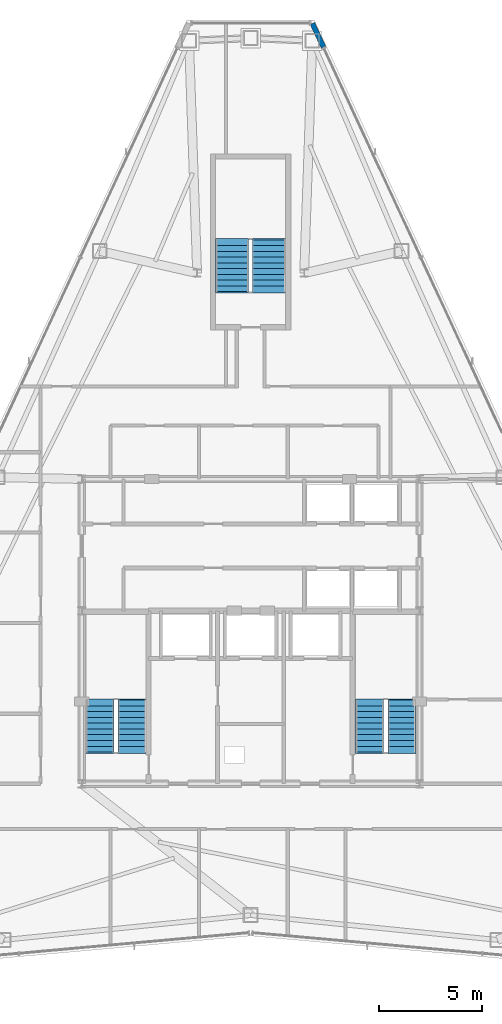
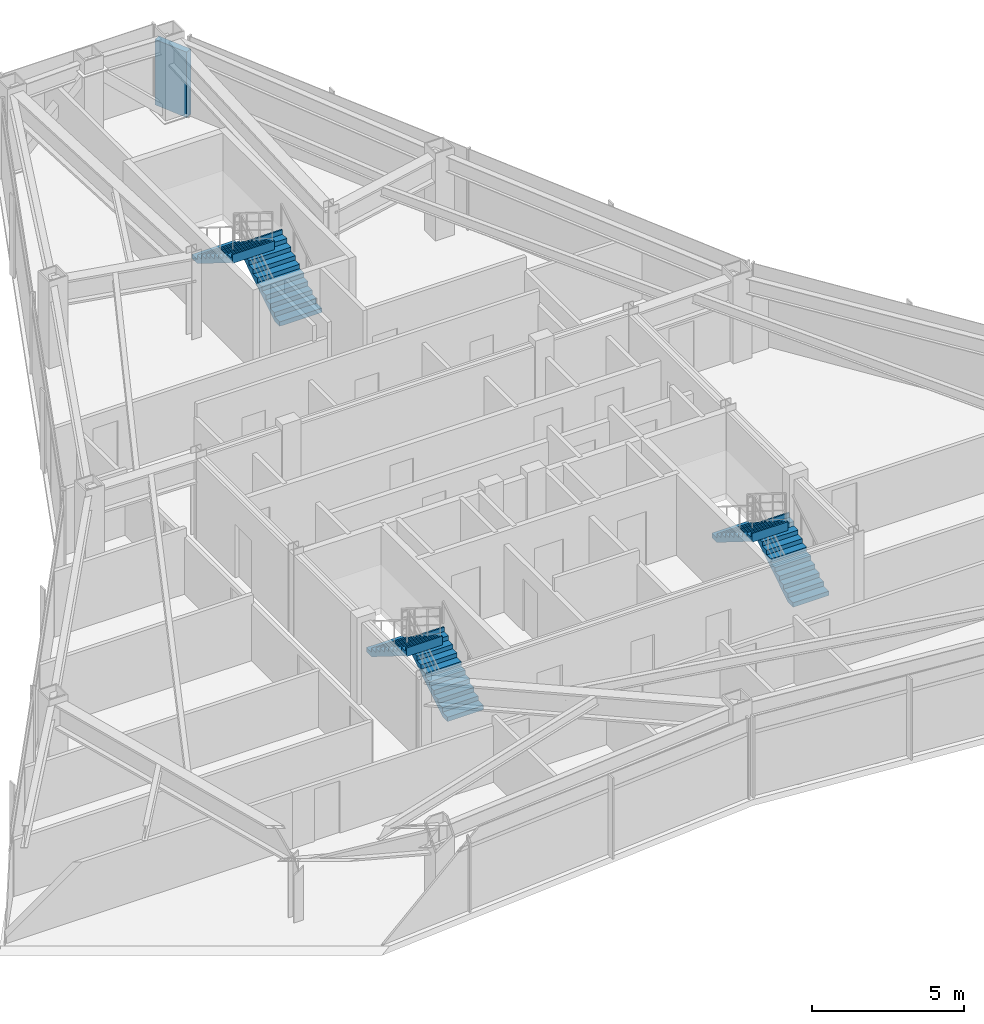
# One storey, part 11 of 12: 6 stair flights, 1 wall, 3 elements without a shape of their own.
"""IFC4 building model written with IfcOpenShell, lengths in metres."""

from ifc_helpers import new_model, si_unit, direction, frame, frame_2d, origin, place, context, subcontext, project, spatial, polyline, rectangle, outline, extrude, material, layer, layer_set, type_object, element, aggregate, save


model = new_model("IFC4")

# Units and contexts
model_context = context("Model", 3, precision=1e-05, world=origin(), true_north=direction((0.0, 1.0)))
body_context = subcontext(model_context, "Body", "Model", "MODEL_VIEW")
ifc_project = project(units=[si_unit("LENGTHUNIT", "METRE"), si_unit("AREAUNIT", "SQUARE_METRE"), si_unit("VOLUMEUNIT", "CUBIC_METRE"), si_unit("PLANEANGLEUNIT", "RADIAN"), si_unit("MASSUNIT", "GRAM", prefix="KILO")], contexts=[model_context])

# Site, building, storey
site_placement = place(None, origin())
site = spatial("IfcSite", under=ifc_project, at=site_placement, CompositionType="ELEMENT")
building_placement = place(site_placement, origin())
building = spatial("IfcBuilding", under=site, at=building_placement, Name="Varakhsha Concourse Tower", CompositionType="ELEMENT")
storey_placement = place(building_placement, frame((0.0, 0.0, 239.89990234375)))
storey = spatial("IfcBuildingStorey", under=building, at=storey_placement, Name="L68", CompositionType="ELEMENT", Elevation=239.89990234375)

# Wall
ifc_material = material(Name="Concrete fc 45 MPa", Category="concrete")
ifc_layer = layer(ifc_material, 0.239990234375, Name="WL-EXT-CRN-240")
ifc_layer_set = layer_set([ifc_layer], Name="Concrete fc 45 MPa")
wall_type = type_object("IfcWallType", Name="WL-EXT-CRN-240", PredefinedType="SHEAR", material=ifc_layer_set)
wall_placement = place(storey_placement, frame((43.538330078125, 52.171142578125, 0.0), z_axis=(0.0, 0.0, 1.0), x_axis=(-0.420510858271, 0.907287505742, 0.0)))
element("IfcWall", 1, at=wall_placement, inside=storey, type_object=wall_type, Name="L68 Wind-Corner Shoulder Wall F9", PredefinedType="SHEAR", context=body_context, shape_type="SweptSolid", body=[
    extrude(rectangle(XDim=1.2783203125, YDim=0.239990234375, at=frame_2d((0.63916015625, 0.0))), origin(), (0.0, 0.0, 1.0), 2.623046875),
])

# Stair, stair flights
stair_type_1 = type_object("IfcStairType", Name="ST-DOGLEG-1360", PredefinedType="HALF_TURN_STAIR", material=ifc_material)
stair_1_placement = place(storey_placement, origin())
stair_1 = element("IfcStair", 2, at=stair_1_placement, inside=storey, type_object=stair_type_1, Name="L68 Protected Exit Stair ST1", PredefinedType="HALF_TURN_STAIR")
stair_flight_type_1 = type_object("IfcStairFlightType", Name="STF-1360-R1750", PredefinedType="STRAIGHT", material=ifc_material)
stair_flight_1_placement = place(storey_placement, frame((34.239990234375, 17.93994140625, 0.0), z_axis=(0.0, 0.0, 1.0), x_axis=(0.0, 1.0, 0.0)))
stair_flight_1 = element("IfcStairFlight", 3, at=stair_flight_1_placement, type_object=stair_flight_type_1, Name="ST1 flight 1", NumberOfRisers=10, NumberOfTreads=9, PredefinedType="STRAIGHT", RiserHeight=0.175, TreadLength=0.28, context=body_context, shape_type="SweptSolid", body=[
    extrude(outline(polyline([(-0.06005859375, 0.0), (-0.06005859375, 0.175048828125), (0.0, 0.175048828125), (0.280029296875, 0.175048828125), (0.280029296875, 0.35009765625), (0.56005859375, 0.35009765625), (0.56005859375, 0.52490234375), (0.840087890625, 0.52490234375), (0.840087890625, 0.699951171875), (1.1201171875, 0.699951171875), (1.1201171875, 0.875), (1.39990234375, 0.875), (1.39990234375, 1.050048828125), (1.679931640625, 1.050048828125), (1.679931640625, 1.22509765625), (1.9599609375, 1.22509765625), (1.9599609375, 1.39990234375), (2.239990234375, 1.39990234375), (2.239990234375, 1.574951171875), (2.52001953125, 1.574951171875), (2.52001953125, 1.75), (2.580078125, 1.75), (2.580078125, 1.398193359375), (2.52001953125, 1.398193359375), (0.28271484375, 0.0), (-0.06005859375, 0.0)])), frame((0.0, 0.68017578125, 0.0), z_axis=(0.0, -1.0, 0.0), x_axis=(1.0, 0.0, 0.0)), (0.0, 0.0, 1.0), 1.360107421875),
])
stair_flight_2_placement = place(storey_placement, frame((32.679931640625, 20.4599609375, 1.75), z_axis=(0.0, 0.0, 1.0), x_axis=(0.0, -1.0, 0.0)))
stair_flight_2 = element("IfcStairFlight", 4, at=stair_flight_2_placement, type_object=stair_flight_type_1, Name="ST1 flight 2", NumberOfRisers=10, NumberOfTreads=9, PredefinedType="STRAIGHT", RiserHeight=0.175, TreadLength=0.28, context=body_context, shape_type="SweptSolid", body=[
    extrude(outline(polyline([(-0.06005859375, 0.0), (-0.06005859375, 0.175048828125), (0.0, 0.175048828125), (0.280029296875, 0.175048828125), (0.280029296875, 0.35009765625), (0.56005859375, 0.35009765625), (0.56005859375, 0.52490234375), (0.840087890625, 0.52490234375), (0.840087890625, 0.699951171875), (1.1201171875, 0.699951171875), (1.1201171875, 0.875), (1.39990234375, 0.875), (1.39990234375, 1.050048828125), (1.679931640625, 1.050048828125), (1.679931640625, 1.22509765625), (1.9599609375, 1.22509765625), (1.9599609375, 1.39990234375), (2.239990234375, 1.39990234375), (2.239990234375, 1.574951171875), (2.52001953125, 1.574951171875), (2.52001953125, 1.75), (2.580078125, 1.75), (2.580078125, 1.398193359375), (2.52001953125, 1.398193359375), (0.28271484375, 0.0), (-0.06005859375, 0.0)])), frame((0.0, 0.68017578125, 0.0), z_axis=(0.0, -1.0, 0.0), x_axis=(1.0, 0.0, 0.0)), (0.0, 0.0, 1.0), 1.360107421875),
])
aggregate(stair_1, [stair_flight_1, stair_flight_2])

stair_2_placement = place(storey_placement, origin())
stair_2 = element("IfcStair", 5, at=stair_2_placement, inside=storey, type_object=stair_type_1, Name="L68 Protected Exit Stair ST2", PredefinedType="HALF_TURN_STAIR")
stair_flight_3_placement = place(storey_placement, frame((47.340087890625, 17.93994140625, 0.0), z_axis=(0.0, 0.0, 1.0), x_axis=(0.0, 1.0, 0.0)))
stair_flight_3 = element("IfcStairFlight", 6, at=stair_flight_3_placement, type_object=stair_flight_type_1, Name="ST2 flight 1", NumberOfRisers=10, NumberOfTreads=9, PredefinedType="STRAIGHT", RiserHeight=0.175, TreadLength=0.28, context=body_context, shape_type="SweptSolid", body=[
    extrude(outline(polyline([(-0.06005859375, 0.0), (-0.06005859375, 0.175048828125), (0.0, 0.175048828125), (0.280029296875, 0.175048828125), (0.280029296875, 0.35009765625), (0.56005859375, 0.35009765625), (0.56005859375, 0.52490234375), (0.840087890625, 0.52490234375), (0.840087890625, 0.699951171875), (1.1201171875, 0.699951171875), (1.1201171875, 0.875), (1.39990234375, 0.875), (1.39990234375, 1.050048828125), (1.679931640625, 1.050048828125), (1.679931640625, 1.22509765625), (1.9599609375, 1.22509765625), (1.9599609375, 1.39990234375), (2.239990234375, 1.39990234375), (2.239990234375, 1.574951171875), (2.52001953125, 1.574951171875), (2.52001953125, 1.75), (2.580078125, 1.75), (2.580078125, 1.398193359375), (2.52001953125, 1.398193359375), (0.28271484375, 0.0), (-0.06005859375, 0.0)])), frame((0.0, 0.68017578125, 0.0), z_axis=(0.0, -1.0, 0.0), x_axis=(1.0, 0.0, 0.0)), (0.0, 0.0, 1.0), 1.360107421875),
])
stair_flight_4_placement = place(storey_placement, frame((45.780029296875, 20.4599609375, 1.75), z_axis=(0.0, 0.0, 1.0), x_axis=(0.0, -1.0, 0.0)))
stair_flight_4 = element("IfcStairFlight", 7, at=stair_flight_4_placement, type_object=stair_flight_type_1, Name="ST2 flight 2", NumberOfRisers=10, NumberOfTreads=9, PredefinedType="STRAIGHT", RiserHeight=0.175, TreadLength=0.28, context=body_context, shape_type="SweptSolid", body=[
    extrude(outline(polyline([(-0.06005859375, 0.0), (-0.06005859375, 0.175048828125), (0.0, 0.175048828125), (0.280029296875, 0.175048828125), (0.280029296875, 0.35009765625), (0.56005859375, 0.35009765625), (0.56005859375, 0.52490234375), (0.840087890625, 0.52490234375), (0.840087890625, 0.699951171875), (1.1201171875, 0.699951171875), (1.1201171875, 0.875), (1.39990234375, 0.875), (1.39990234375, 1.050048828125), (1.679931640625, 1.050048828125), (1.679931640625, 1.22509765625), (1.9599609375, 1.22509765625), (1.9599609375, 1.39990234375), (2.239990234375, 1.39990234375), (2.239990234375, 1.574951171875), (2.52001953125, 1.574951171875), (2.52001953125, 1.75), (2.580078125, 1.75), (2.580078125, 1.398193359375), (2.52001953125, 1.398193359375), (0.28271484375, 0.0), (-0.06005859375, 0.0)])), frame((0.0, 0.68017578125, 0.0), z_axis=(0.0, -1.0, 0.0), x_axis=(1.0, 0.0, 0.0)), (0.0, 0.0, 1.0), 1.360107421875),
])
aggregate(stair_2, [stair_flight_3, stair_flight_4])

stair_type_2 = type_object("IfcStairType", Name="ST-DOGLEG-1600", PredefinedType="HALF_TURN_STAIR", material=ifc_material)
stair_3_placement = place(storey_placement, origin())
stair_3 = element("IfcStair", 8, at=stair_3_placement, inside=storey, type_object=stair_type_2, Name="L68 Protected Exit Stair ST5", PredefinedType="HALF_TURN_STAIR")
stair_flight_type_2 = type_object("IfcStairFlightType", Name="STF-1600-R1750", PredefinedType="STRAIGHT", material=ifc_material)
stair_flight_5_placement = place(storey_placement, frame((40.89990234375, 40.300048828125, 0.0), z_axis=(0.0, 0.0, 1.0), x_axis=(0.0, 1.0, 0.0)))
stair_flight_5 = element("IfcStairFlight", 9, at=stair_flight_5_placement, type_object=stair_flight_type_2, Name="ST5 flight 1", NumberOfRisers=10, NumberOfTreads=9, PredefinedType="STRAIGHT", RiserHeight=0.175, TreadLength=0.28, context=body_context, shape_type="SweptSolid", body=[
    extrude(outline(polyline([(-0.06005859375, 0.0), (-0.06005859375, 0.175048828125), (0.0, 0.175048828125), (0.280029296875, 0.175048828125), (0.280029296875, 0.35009765625), (0.56005859375, 0.35009765625), (0.56005859375, 0.52490234375), (0.840087890625, 0.52490234375), (0.840087890625, 0.699951171875), (1.1201171875, 0.699951171875), (1.1201171875, 0.875), (1.39990234375, 0.875), (1.39990234375, 1.050048828125), (1.679931640625, 1.050048828125), (1.679931640625, 1.22509765625), (1.9599609375, 1.22509765625), (1.9599609375, 1.39990234375), (2.239990234375, 1.39990234375), (2.239990234375, 1.574951171875), (2.52001953125, 1.574951171875), (2.52001953125, 1.75), (2.580078125, 1.75), (2.580078125, 1.398193359375), (2.52001953125, 1.398193359375), (0.28271484375, 0.0), (-0.06005859375, 0.0)])), frame((0.0, 0.800048828125, 0.0), z_axis=(0.0, -1.0, 0.0), x_axis=(1.0, 0.0, 0.0)), (0.0, 0.0, 1.0), 1.60009765625),
])
stair_flight_6_placement = place(storey_placement, frame((39.10009765625, 42.820068359375, 1.75), z_axis=(0.0, 0.0, 1.0), x_axis=(0.0, -1.0, 0.0)))
stair_flight_6 = element("IfcStairFlight", 10, at=stair_flight_6_placement, type_object=stair_flight_type_2, Name="ST5 flight 2", NumberOfRisers=10, NumberOfTreads=9, PredefinedType="STRAIGHT", RiserHeight=0.175, TreadLength=0.28, context=body_context, shape_type="SweptSolid", body=[
    extrude(outline(polyline([(-0.06005859375, 0.0), (-0.06005859375, 0.175048828125), (0.0, 0.175048828125), (0.280029296875, 0.175048828125), (0.280029296875, 0.35009765625), (0.56005859375, 0.35009765625), (0.56005859375, 0.52490234375), (0.840087890625, 0.52490234375), (0.840087890625, 0.699951171875), (1.1201171875, 0.699951171875), (1.1201171875, 0.875), (1.39990234375, 0.875), (1.39990234375, 1.050048828125), (1.679931640625, 1.050048828125), (1.679931640625, 1.22509765625), (1.9599609375, 1.22509765625), (1.9599609375, 1.39990234375), (2.239990234375, 1.39990234375), (2.239990234375, 1.574951171875), (2.52001953125, 1.574951171875), (2.52001953125, 1.75), (2.580078125, 1.75), (2.580078125, 1.398193359375), (2.52001953125, 1.398193359375), (0.28271484375, 0.0), (-0.06005859375, 0.0)])), frame((0.0, 0.800048828125, 0.0), z_axis=(0.0, -1.0, 0.0), x_axis=(1.0, 0.0, 0.0)), (0.0, 0.0, 1.0), 1.60009765625),
])
aggregate(stair_3, [stair_flight_5, stair_flight_6])

save(model, "model.ifc")
